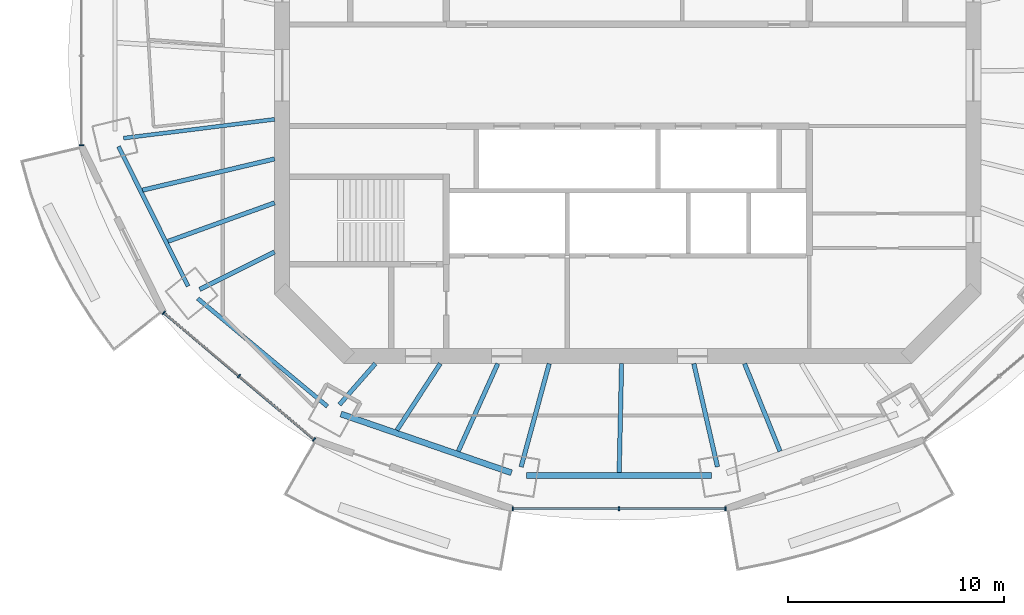
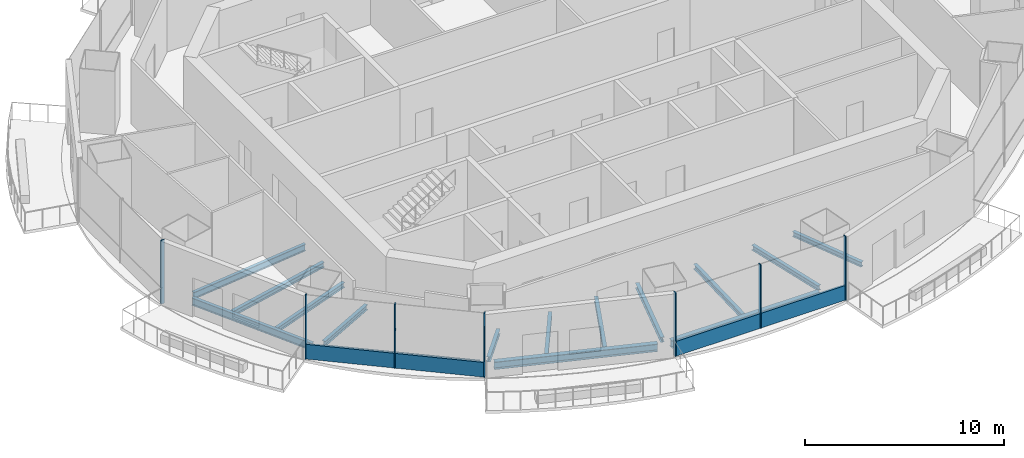
# One storey, part 2 of 14: 15 beams, 9 members, 3 elements without a shape of their own.
"""IFC4 building model written with IfcOpenShell, lengths in metres."""

from ifc_helpers import new_model, si_unit, direction, frame, origin, origin_2d, place, context, subcontext, project, spatial, rectangle, i_section, extrude, material, material_profile, profile_set, type_object, element, aggregate, save


model = new_model("IFC4")

# Units and contexts
model_context = context("Model", 3, precision=1e-05, world=origin(), true_north=direction((0.0, 1.0)))
body_context = subcontext(model_context, "Body", "Model", "MODEL_VIEW")
ifc_project = project(units=[si_unit("LENGTHUNIT", "METRE"), si_unit("AREAUNIT", "SQUARE_METRE"), si_unit("VOLUMEUNIT", "CUBIC_METRE"), si_unit("PLANEANGLEUNIT", "RADIAN"), si_unit("MASSUNIT", "GRAM", prefix="KILO")], contexts=[model_context])

# Site, building, storey
site_placement = place(None, origin())
site = spatial("IfcSite", under=ifc_project, at=site_placement, CompositionType="ELEMENT")
building_placement = place(site_placement, origin())
building = spatial("IfcBuilding", under=site, at=building_placement, Name="Marenthal Gate Tower", CompositionType="ELEMENT")
storey_placement = place(building_placement, frame((0.0, 0.0, 392.39990234375)))
storey = spatial("IfcBuildingStorey", under=building, at=storey_placement, Name="L89", CompositionType="ELEMENT", Elevation=392.39990234375)

# Curtain wall, member
ifc_material_1 = material(Name="Aluminium and glass", Category="aluminium")
curtain_wall_type = type_object("IfcCurtainWallType", Name="Curtain wall typical high", PredefinedType="NOTDEFINED", material=ifc_material_1)
curtain_wall_1_placement = place(storey_placement, origin())
curtain_wall_1 = element("IfcCurtainWall", 1, at=curtain_wall_1_placement, inside=storey, type_object=curtain_wall_type, Name="Curtain wall L89 bay 8", PredefinedType="NOTDEFINED")
ifc_material_2 = material(Name="Aluminium", Category="aluminium")
ifc_material_profile_1 = material_profile(ifc_material_2, rectangle(XDim=0.199951171875, YDim=0.06005859375, at=origin_2d()), Name="60x200 aluminium mullion")
ifc_profile_set_1 = profile_set([ifc_material_profile_1], Name="Aluminium")
member_type_1 = type_object("IfcMemberType", Name="Mullion 60x200 typical high", PredefinedType="MULLION", material=ifc_profile_set_1)
member_1_placement = place(storey_placement, frame((-25.292236328125, -3.240966796875, 0.0), z_axis=(0.0, 0.0, 1.0), x_axis=(1.0, 0.0, 0.0)))
member_1 = element("IfcMember", 2, at=member_1_placement, type_object=member_type_1, Name="Mullion L89 bay 8.3", PredefinedType="MULLION", context=body_context, shape_type="SweptSolid", body=[
    extrude(rectangle(XDim=0.199951171875, YDim=0.06005859375, at=origin_2d()), origin(), (0.0, 0.0, 1.0), 3.900146484375),
])
aggregate(curtain_wall_1, [member_1])

# Curtain wall, members
curtain_wall_2_placement = place(storey_placement, origin())
curtain_wall_2 = element("IfcCurtainWall", 3, at=curtain_wall_2_placement, inside=storey, type_object=curtain_wall_type, Name="Curtain wall L89 bay 10", PredefinedType="NOTDEFINED")
member_2_placement = place(storey_placement, frame((-21.479736328125, -10.997314453125, 0.0), z_axis=(0.0, 0.0, 1.0), x_axis=(0.644265226944, 0.764802142616, 0.0)))
member_2 = element("IfcMember", 4, at=member_2_placement, type_object=member_type_1, Name="Mullion L89 bay 10.1", PredefinedType="MULLION", context=body_context, shape_type="SweptSolid", body=[
    extrude(rectangle(XDim=0.199951171875, YDim=0.06005859375, at=origin_2d()), origin(), (0.0, 0.0, 1.0), 3.900146484375),
])
member_3_placement = place(storey_placement, frame((-18.00146484375, -13.927490234375, 0.0), z_axis=(0.0, 0.0, 1.0), x_axis=(0.644265226944, 0.764802142616, 0.0)))
member_3 = element("IfcMember", 5, at=member_3_placement, type_object=member_type_1, Name="Mullion L89 bay 10.2", PredefinedType="MULLION", context=body_context, shape_type="SweptSolid", body=[
    extrude(rectangle(XDim=0.199951171875, YDim=0.06005859375, at=origin_2d()), origin(), (0.0, 0.0, 1.0), 3.900146484375),
])
member_4_placement = place(storey_placement, frame((-14.5234375, -16.857421875, 0.0), z_axis=(0.0, 0.0, 1.0), x_axis=(0.644265226944, 0.764802142616, 0.0)))
member_4 = element("IfcMember", 6, at=member_4_placement, type_object=member_type_1, Name="Mullion L89 bay 10.3", PredefinedType="MULLION", context=body_context, shape_type="SweptSolid", body=[
    extrude(rectangle(XDim=0.199951171875, YDim=0.06005859375, at=origin_2d()), origin(), (0.0, 0.0, 1.0), 3.900146484375),
])

curtain_wall_3_placement = place(storey_placement, origin())
curtain_wall_3 = element("IfcCurtainWall", 7, at=curtain_wall_3_placement, inside=storey, type_object=curtain_wall_type, Name="Curtain wall L89 bay 12", PredefinedType="NOTDEFINED")
member_5_placement = place(storey_placement, frame((-5.3212890625, -20.069091796875, 0.0), z_axis=(0.0, 0.0, 1.0), x_axis=(0.0, 1.0, 0.0)))
member_5 = element("IfcMember", 8, at=member_5_placement, type_object=member_type_1, Name="Mullion L89 bay 12.1", PredefinedType="MULLION", context=body_context, shape_type="SweptSolid", body=[
    extrude(rectangle(XDim=0.199951171875, YDim=0.06005859375, at=origin_2d()), origin(), (0.0, 0.0, 1.0), 3.900146484375),
])
member_6_placement = place(storey_placement, frame((-0.39990234375, -20.069091796875, 0.0), z_axis=(0.0, 0.0, 1.0), x_axis=(0.0, 1.0, 0.0)))
member_6 = element("IfcMember", 9, at=member_6_placement, type_object=member_type_1, Name="Mullion L89 bay 12.2", PredefinedType="MULLION", context=body_context, shape_type="SweptSolid", body=[
    extrude(rectangle(XDim=0.199951171875, YDim=0.06005859375, at=origin_2d()), origin(), (0.0, 0.0, 1.0), 3.900146484375),
])
member_7_placement = place(storey_placement, frame((4.521484375, -20.069091796875, 0.0), z_axis=(0.0, 0.0, 1.0), x_axis=(0.0, 1.0, 0.0)))
member_7 = element("IfcMember", 10, at=member_7_placement, type_object=member_type_1, Name="Mullion L89 bay 12.3", PredefinedType="MULLION", context=body_context, shape_type="SweptSolid", body=[
    extrude(rectangle(XDim=0.199951171875, YDim=0.06005859375, at=origin_2d()), origin(), (0.0, 0.0, 1.0), 3.900146484375),
])

# Member
ifc_material_3 = material(Name="Aluminium", Category="aluminium")
ifc_material_profile_2 = material_profile(ifc_material_3, rectangle(XDim=0.1201171875, YDim=0.89990234375, at=origin_2d()), Name="120x900 aluminium transom")
ifc_profile_set_2 = profile_set([ifc_material_profile_2], Name="Aluminium")
member_type_2 = type_object("IfcMemberType", Name="Transom 120x900 typical high", PredefinedType="USERDEFINED", material=ifc_profile_set_2)
member_8_placement = place(storey_placement, frame((-21.456787109375, -11.016845703125, 0.4501953125), z_axis=(0.764801880801, -0.644265537743, 0.0), x_axis=(0.644265537743, 0.764801880801, 0.0)))
member_8 = element("IfcMember", 11, at=member_8_placement, type_object=member_type_2, Name="Transom L89 bay 10", ObjectType="TRANSOM", PredefinedType="USERDEFINED", context=body_context, shape_type="SweptSolid", body=[
    extrude(rectangle(XDim=0.1201171875, YDim=0.89990234375, at=origin_2d()), origin(), (0.0, 0.0, 1.0), 9.03564453125),
])

aggregate(curtain_wall_2, [member_2, member_3, member_4, member_8])

member_9_placement = place(storey_placement, frame((-5.29150390625, -20.069091796875, 0.4501953125), z_axis=(1.0, 0.0, 0.0), x_axis=(0.0, 1.0, 0.0)))
member_9 = element("IfcMember", 12, at=member_9_placement, type_object=member_type_2, Name="Transom L89 bay 12", ObjectType="TRANSOM", PredefinedType="USERDEFINED", context=body_context, shape_type="SweptSolid", body=[
    extrude(rectangle(XDim=0.1201171875, YDim=0.89990234375, at=origin_2d()), origin(), (0.0, 0.0, 1.0), 9.782958984375),
])

aggregate(curtain_wall_3, [member_5, member_6, member_7, member_9])

# Beams
ifc_material_4 = material(Name="Steel S355", Category="steel")
ifc_material_profile_3 = material_profile(ifc_material_4, i_section(OverallWidth=0.202880859375, OverallDepth=0.302001953125, WebThickness=0.007568359375, FlangeThickness=0.01318359375, FilletRadius=0.0126953125, at=origin_2d()), Name="W310X60")
ifc_profile_set_3 = profile_set([ifc_material_profile_3], Name="Steel S355")
beam_type_1 = type_object("IfcBeamType", Name="W310X60 beam", PredefinedType="BEAM", material=ifc_profile_set_3)
beam_1_placement = place(storey_placement, frame((-21.283203125, -7.6884765625, -0.330810546875), z_axis=(0.940518373063, 0.339742829109, 0.0), x_axis=(-0.339742829109, 0.940518373063, 0.0)))
element("IfcBeam", 13, at=beam_1_placement, inside=storey, type_object=beam_type_1, Name="BM-L89-29", PredefinedType="BEAM", context=body_context, shape_type="SweptSolid", body=[
    extrude(i_section(OverallWidth=0.202880859375, OverallDepth=0.302001953125, WebThickness=0.007568359375, FlangeThickness=0.01318359375, FilletRadius=0.0126953125, at=origin_2d()), origin(), (0.0, 0.0, 1.0), 5.2451171875),
])
beam_2_placement = place(storey_placement, frame((-10.684326171875, -16.427978515625, -0.330810546875), z_axis=(0.545196351283, 0.838308379147, 0.0), x_axis=(-0.838308379147, 0.545196351283, 0.0)))
element("IfcBeam", 14, at=beam_2_placement, inside=storey, type_object=beam_type_1, Name="BM-L89-30", PredefinedType="BEAM", context=body_context, shape_type="SweptSolid", body=[
    extrude(i_section(OverallWidth=0.202880859375, OverallDepth=0.302001953125, WebThickness=0.007568359375, FlangeThickness=0.01318359375, FilletRadius=0.0126953125, at=origin_2d()), origin(), (0.0, 0.0, 1.0), 3.671630859375),
])
beam_3_placement = place(storey_placement, frame((-7.845458984375, -17.40625, -0.330810546875), z_axis=(0.410944126678, 0.91166053153, 0.0), x_axis=(-0.91166053153, 0.410944126678, 0.0)))
element("IfcBeam", 15, at=beam_3_placement, inside=storey, type_object=beam_type_1, Name="BM-L89-31", PredefinedType="BEAM", context=body_context, shape_type="SweptSolid", body=[
    extrude(i_section(OverallWidth=0.202880859375, OverallDepth=0.302001953125, WebThickness=0.007568359375, FlangeThickness=0.01318359375, FilletRadius=0.0126953125, at=origin_2d()), origin(), (0.0, 0.0, 1.0), 4.44921875),
])
beam_4_placement = place(storey_placement, frame((-0.39697265625, -18.3798828125, -0.330810546875), z_axis=(0.021594807698, 0.99976680495, 0.0), x_axis=(-0.99976680495, 0.021594807698, 0.0)))
element("IfcBeam", 16, at=beam_4_placement, inside=storey, type_object=beam_type_1, Name="BM-L89-32", PredefinedType="BEAM", context=body_context, shape_type="SweptSolid", body=[
    extrude(i_section(OverallWidth=0.202880859375, OverallDepth=0.302001953125, WebThickness=0.007568359375, FlangeThickness=0.01318359375, FilletRadius=0.0126953125, at=origin_2d()), origin(), (0.0, 0.0, 1.0), 5.031005859375),
])
beam_5_placement = place(storey_placement, frame((7.050537109375, -17.404541015625, -0.330810546875), z_axis=(-0.375486166847, 0.92682799834, 0.0), x_axis=(-0.92682799834, -0.375486166847, 0.0)))
element("IfcBeam", 17, at=beam_5_placement, inside=storey, type_object=beam_type_1, Name="BM-L89-33", PredefinedType="BEAM", context=body_context, shape_type="SweptSolid", body=[
    extrude(i_section(OverallWidth=0.202880859375, OverallDepth=0.302001953125, WebThickness=0.007568359375, FlangeThickness=0.01318359375, FilletRadius=0.0126953125, at=origin_2d()), origin(), (0.0, 0.0, 1.0), 4.37451171875),
])
ifc_material_5 = material(Name="Steel S355", Category="steel")
ifc_material_profile_4 = material_profile(ifc_material_5, i_section(OverallWidth=0.205078125, OverallDepth=0.31005859375, WebThickness=0.009521484375, FlangeThickness=0.016357421875, FilletRadius=0.0126953125, at=origin_2d()), Name="W310X74")
ifc_profile_set_4 = profile_set([ifc_material_profile_4], Name="Steel S355")
beam_type_2 = type_object("IfcBeamType", Name="W310X74 beam", PredefinedType="BEAM", material=ifc_profile_set_4)
beam_6_placement = place(storey_placement, frame((-19.812744140625, -9.912109375, -0.3349609375), z_axis=(0.894313662611, 0.447440580264, 0.0), x_axis=(-0.447440580264, 0.894313662611, 0.0)))
element("IfcBeam", 18, at=beam_6_placement, inside=storey, type_object=beam_type_2, Name="BM-L89-10", PredefinedType="BEAM", context=body_context, shape_type="SweptSolid", body=[
    extrude(i_section(OverallWidth=0.205078125, OverallDepth=0.31005859375, WebThickness=0.009521484375, FlangeThickness=0.016357421875, FilletRadius=0.0126953125, at=origin_2d()), origin(), (0.0, 0.0, 1.0), 3.871826171875),
])
beam_7_placement = place(storey_placement, frame((-13.345703125, -15.24658203125, -0.3349609375), z_axis=(0.658724007976, 0.752384663132, 0.0), x_axis=(-0.752384663132, 0.658724007976, 0.0)))
element("IfcBeam", 19, at=beam_7_placement, inside=storey, type_object=beam_type_2, Name="BM-L89-11", PredefinedType="BEAM", context=body_context, shape_type="SweptSolid", body=[
    extrude(i_section(OverallWidth=0.205078125, OverallDepth=0.31005859375, WebThickness=0.009521484375, FlangeThickness=0.016357421875, FilletRadius=0.0126953125, at=origin_2d()), origin(), (0.0, 0.0, 1.0), 2.520751953125),
])
beam_8_placement = place(storey_placement, frame((-4.936767578125, -18.12890625, -0.3349609375), z_axis=(0.262733655063, 0.964868398538, 0.0), x_axis=(-0.964868398538, 0.262733655063, 0.0)))
element("IfcBeam", 20, at=beam_8_placement, inside=storey, type_object=beam_type_2, Name="BM-L89-12", PredefinedType="BEAM", context=body_context, shape_type="SweptSolid", body=[
    extrude(i_section(OverallWidth=0.205078125, OverallDepth=0.31005859375, WebThickness=0.009521484375, FlangeThickness=0.016357421875, FilletRadius=0.0126953125, at=origin_2d()), origin(), (0.0, 0.0, 1.0), 4.952880859375),
])
beam_9_placement = place(storey_placement, frame((4.1533203125, -18.1279296875, -0.3349609375), z_axis=(-0.223338692396, 0.974740903255, 0.0), x_axis=(-0.974740903255, -0.223338692396, 0.0)))
element("IfcBeam", 21, at=beam_9_placement, inside=storey, type_object=beam_type_2, Name="BM-L89-13", PredefinedType="BEAM", context=body_context, shape_type="SweptSolid", body=[
    extrude(i_section(OverallWidth=0.205078125, OverallDepth=0.31005859375, WebThickness=0.009521484375, FlangeThickness=0.016357421875, FilletRadius=0.0126953125, at=origin_2d()), origin(), (0.0, 0.0, 1.0), 4.901611328125),
])
beam_10_placement = place(storey_placement, frame((-22.462646484375, -5.3193359375, -0.3349609375), z_axis=(0.973087397589, 0.230436361397, 0.0), x_axis=(-0.230436361397, 0.973087397589, 0.0)))
element("IfcBeam", 22, at=beam_10_placement, inside=storey, type_object=beam_type_2, Name="BM-L89-28", PredefinedType="BEAM", context=body_context, shape_type="SweptSolid", body=[
    extrude(i_section(OverallWidth=0.205078125, OverallDepth=0.31005859375, WebThickness=0.009521484375, FlangeThickness=0.016357421875, FilletRadius=0.0126953125, at=origin_2d()), origin(), (0.0, 0.0, 1.0), 6.281494140625),
])
ifc_material_6 = material(Name="Steel S355", Category="steel")
ifc_material_profile_5 = material_profile(ifc_material_6, i_section(OverallWidth=0.180908203125, OverallDepth=0.4169921875, WebThickness=0.010986328125, FlangeThickness=0.018310546875, FilletRadius=0.01025390625, at=origin_2d()), Name="W410X85")
ifc_profile_set_5 = profile_set([ifc_material_profile_5], Name="Steel S355")
beam_type_3 = type_object("IfcBeamType", Name="W410X85 beam", PredefinedType="BEAM", material=ifc_profile_set_5)
beam_11_placement = place(storey_placement, frame((-23.34033203125, -2.91259765625, -0.388427734375), z_axis=(0.992303448561, 0.123829988185, 0.0), x_axis=(-0.123829988185, 0.992303448561, 0.0)))
element("IfcBeam", 23, at=beam_11_placement, inside=storey, type_object=beam_type_3, Name="BM-L89-09", PredefinedType="BEAM", context=body_context, shape_type="SweptSolid", body=[
    extrude(i_section(OverallWidth=0.180908203125, OverallDepth=0.4169921875, WebThickness=0.010986328125, FlangeThickness=0.018310546875, FilletRadius=0.01025390625, at=origin_2d()), origin(), (0.0, 0.0, 1.0), 7.04443359375),
])
ifc_material_7 = material(Name="Steel S355", Category="steel")
ifc_material_profile_6 = material_profile(ifc_material_7, i_section(OverallWidth=0.279052734375, OverallDepth=0.4619140625, WebThickness=0.0107421875, FlangeThickness=0.017333984375, FilletRadius=0.010009765625, at=origin_2d()), Name="W460X113")
ifc_profile_set_6 = profile_set([ifc_material_profile_6], Name="Steel S355")
beam_type_4 = type_object("IfcBeamType", Name="W460X113 beam", PredefinedType="BEAM", material=ifc_profile_set_6)
beam_12_placement = place(storey_placement, frame((-13.279052734375, -15.681396484375, -0.410888671875), z_axis=(0.94543573541, -0.325808640478, 0.0), x_axis=(0.325808640478, 0.94543573541, 0.0)))
element("IfcBeam", 24, at=beam_12_placement, inside=storey, type_object=beam_type_4, Name="BM-L89-48", PredefinedType="BEAM", context=body_context, shape_type="SweptSolid", body=[
    extrude(i_section(OverallWidth=0.279052734375, OverallDepth=0.4619140625, WebThickness=0.0107421875, FlangeThickness=0.017333984375, FilletRadius=0.010009765625, at=origin_2d()), origin(), (0.0, 0.0, 1.0), 8.34912109375),
])
beam_13_placement = place(storey_placement, frame((-4.681396484375, -18.51953125, -0.410888671875), z_axis=(1.0, 0.0, 0.0), x_axis=(0.0, 1.0, 0.0)))
element("IfcBeam", 25, at=beam_13_placement, inside=storey, type_object=beam_type_4, Name="BM-L89-49", PredefinedType="BEAM", context=body_context, shape_type="SweptSolid", body=[
    extrude(i_section(OverallWidth=0.279052734375, OverallDepth=0.4619140625, WebThickness=0.0107421875, FlangeThickness=0.017333984375, FilletRadius=0.010009765625, at=origin_2d()), origin(), (0.0, 0.0, 1.0), 8.56298828125),
])
ifc_material_8 = material(Name="Steel S355", Category="steel")
ifc_material_profile_7 = material_profile(ifc_material_8, i_section(OverallWidth=0.19091796875, OverallDepth=0.45703125, WebThickness=0.009033203125, FlangeThickness=0.014404296875, FilletRadius=0.01025390625, at=origin_2d()), Name="W460X74")
ifc_profile_set_7 = profile_set([ifc_material_profile_7], Name="Steel S355")
beam_type_5 = type_object("IfcBeamType", Name="W460X74 beam", PredefinedType="BEAM", material=ifc_profile_set_7)
beam_14_placement = place(storey_placement, frame((-23.57666015625, -3.296142578125, -0.408447265625), z_axis=(0.445686804831, -0.895188958824, 0.0), x_axis=(0.895188958824, 0.445686804831, 0.0)))
element("IfcBeam", 26, at=beam_14_placement, inside=storey, type_object=beam_type_5, Name="BM-L89-46", PredefinedType="BEAM", context=body_context, shape_type="SweptSolid", body=[
    extrude(i_section(OverallWidth=0.19091796875, OverallDepth=0.45703125, WebThickness=0.009033203125, FlangeThickness=0.014404296875, FilletRadius=0.01025390625, at=origin_2d()), origin(), (0.0, 0.0, 1.0), 7.230712890625),
])
beam_15_placement = place(storey_placement, frame((-19.906494140625, -10.335205078125, -0.408447265625), z_axis=(0.76874123216, -0.63955994088, 0.0), x_axis=(0.63955994088, 0.76874123216, 0.0)))
element("IfcBeam", 27, at=beam_15_placement, inside=storey, type_object=beam_type_5, Name="BM-L89-47", PredefinedType="BEAM", context=body_context, shape_type="SweptSolid", body=[
    extrude(i_section(OverallWidth=0.19091796875, OverallDepth=0.45703125, WebThickness=0.009033203125, FlangeThickness=0.014404296875, FilletRadius=0.01025390625, at=origin_2d()), origin(), (0.0, 0.0, 1.0), 7.80908203125),
])

save(model, "model.ifc")
